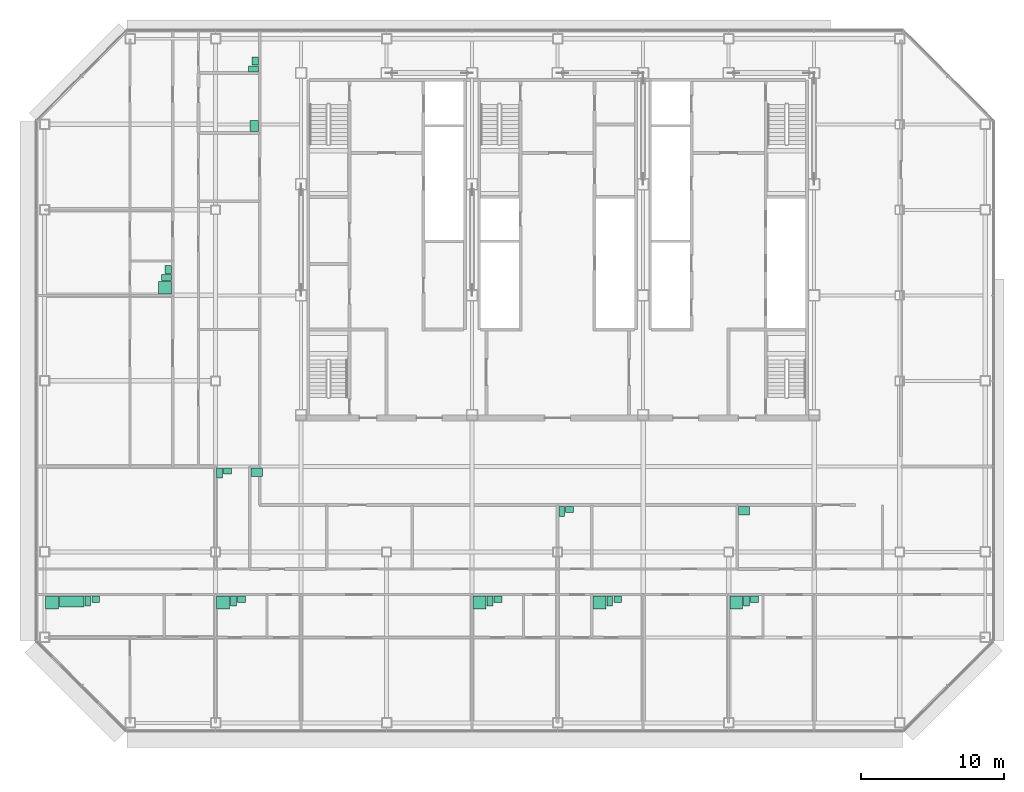
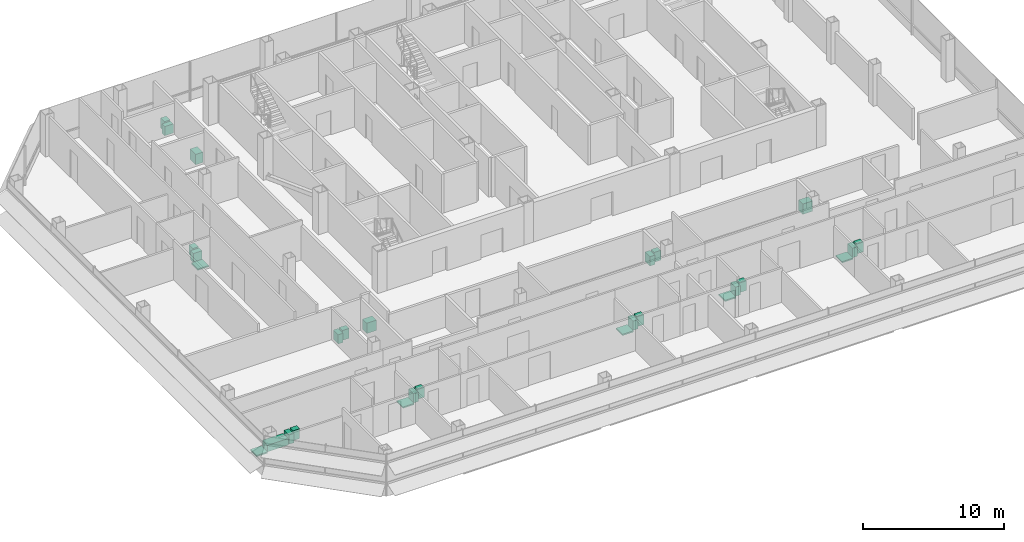
# One storey, part 27 of 27: 28 sanitary terminals.
"""IFC4 building model written with IfcOpenShell, lengths in metres."""

from ifc_helpers import new_model, si_unit, direction, frame, origin, origin_2d, place, context, subcontext, project, spatial, rectangle, extrude, element, save


model = new_model("IFC4")

# Units and contexts
model_context = context("Model", 3, precision=1e-05, world=origin(), true_north=direction((0.0, 1.0)))
body_context = subcontext(model_context, "Body", "Model", "MODEL_VIEW")
ifc_project = project(units=[si_unit("LENGTHUNIT", "METRE"), si_unit("AREAUNIT", "SQUARE_METRE"), si_unit("VOLUMEUNIT", "CUBIC_METRE"), si_unit("PLANEANGLEUNIT", "RADIAN"), si_unit("MASSUNIT", "GRAM", prefix="KILO")], contexts=[model_context])

# Site, building, storey
site_placement = place(None, origin())
site = spatial("IfcSite", under=ifc_project, at=site_placement, CompositionType="ELEMENT")
building_placement = place(site_placement, origin())
building = spatial("IfcBuilding", under=site, at=building_placement, Name="Sorahane Residences", CompositionType="ELEMENT")
storey_placement = place(building_placement, frame((0.0, 0.0, 195.60009765625)))
storey = spatial("IfcBuildingStorey", under=building, at=storey_placement, Name="L45", CompositionType="ELEMENT", Elevation=195.60009765625)

# Sanitary terminals
sanitary_terminal_1_placement = place(storey_placement, frame((-11.469970703125, 8.449951171875, -0.000244140625), z_axis=(0.0, 0.0, 1.0), x_axis=(1.0, 0.0, 0.0)))
element("IfcSanitaryTerminal", 1, at=sanitary_terminal_1_placement, inside=storey, Name="Shower tray En-suite bathroom 45A", PredefinedType="SHOWER", context=body_context, shape_type="SweptSolid", body=[
    extrude(rectangle(XDim=0.89990234375, YDim=0.89990234375, at=origin_2d()), origin(), (0.0, 0.0, 1.0), 0.1201171875),
])
sanitary_terminal_2_placement = place(storey_placement, frame((-10.090087890625, 8.52490234375, -0.000244140625), z_axis=(0.0, 0.0, 1.0), x_axis=(1.0, 0.0, 0.0)))
element("IfcSanitaryTerminal", 2, at=sanitary_terminal_2_placement, inside=storey, Name="Bath En-suite bathroom 45A", PredefinedType="BATH", context=body_context, shape_type="SweptSolid", body=[
    extrude(rectangle(XDim=1.699951171875, YDim=0.75, at=origin_2d()), origin(), (0.0, 0.0, 1.0), 0.56005859375),
])
sanitary_terminal_3_placement = place(storey_placement, frame((-8.9599609375, 8.550048828125, 0.0), z_axis=(0.0, 0.0, 1.0), x_axis=(1.0, 0.0, 0.0)))
element("IfcSanitaryTerminal", 3, at=sanitary_terminal_3_placement, inside=storey, Name="WC pan En-suite bathroom 45A", PredefinedType="TOILETPAN", context=body_context, shape_type="SweptSolid", body=[
    extrude(rectangle(XDim=0.39990234375, YDim=0.699951171875, at=origin_2d()), origin(), (0.0, 0.0, 1.0), 0.800048828125),
])
sanitary_terminal_4_placement = place(storey_placement, frame((-8.405029296875, 8.675048828125, -0.000244140625), z_axis=(0.0, 0.0, 1.0), x_axis=(1.0, 0.0, 0.0)))
element("IfcSanitaryTerminal", 4, at=sanitary_terminal_4_placement, inside=storey, Name="Wash basin En-suite bathroom 45A", PredefinedType="WASHHANDBASIN", context=body_context, shape_type="SweptSolid", body=[
    extrude(rectangle(XDim=0.550048828125, YDim=0.449951171875, at=origin_2d()), origin(), (0.0, 0.0, 1.0), 0.85009765625),
])
sanitary_terminal_5_placement = place(storey_placement, frame((0.530029296875, 8.449951171875, -0.000244140625), z_axis=(0.0, 0.0, 1.0), x_axis=(1.0, 0.0, 0.0)))
element("IfcSanitaryTerminal", 5, at=sanitary_terminal_5_placement, inside=storey, Name="Shower tray En-suite bathroom 45A-2", PredefinedType="SHOWER", context=body_context, shape_type="SweptSolid", body=[
    extrude(rectangle(XDim=0.89990234375, YDim=0.89990234375, at=origin_2d()), origin(), (0.0, 0.0, 1.0), 0.1201171875),
])
sanitary_terminal_6_placement = place(storey_placement, frame((1.260009765625, 8.550048828125, 0.0), z_axis=(0.0, 0.0, 1.0), x_axis=(1.0, 0.0, 0.0)))
element("IfcSanitaryTerminal", 6, at=sanitary_terminal_6_placement, inside=storey, Name="WC pan En-suite bathroom 45A-2", PredefinedType="TOILETPAN", context=body_context, shape_type="SweptSolid", body=[
    extrude(rectangle(XDim=0.39990234375, YDim=0.699951171875, at=origin_2d()), origin(), (0.0, 0.0, 1.0), 0.800048828125),
])
sanitary_terminal_7_placement = place(storey_placement, frame((1.81494140625, 8.675048828125, -0.000244140625), z_axis=(0.0, 0.0, 1.0), x_axis=(1.0, 0.0, 0.0)))
element("IfcSanitaryTerminal", 7, at=sanitary_terminal_7_placement, inside=storey, Name="Wash basin En-suite bathroom 45A-2", PredefinedType="WASHHANDBASIN", context=body_context, shape_type="SweptSolid", body=[
    extrude(rectangle(XDim=0.550048828125, YDim=0.449951171875, at=origin_2d()), origin(), (0.0, 0.0, 1.0), 0.85009765625),
])
sanitary_terminal_8_placement = place(storey_placement, frame((18.530029296875, 8.449951171875, -0.000244140625), z_axis=(0.0, 0.0, 1.0), x_axis=(1.0, 0.0, 0.0)))
element("IfcSanitaryTerminal", 8, at=sanitary_terminal_8_placement, inside=storey, Name="Shower tray En-suite bathroom 45A-3", PredefinedType="SHOWER", context=body_context, shape_type="SweptSolid", body=[
    extrude(rectangle(XDim=0.89990234375, YDim=0.89990234375, at=origin_2d()), origin(), (0.0, 0.0, 1.0), 0.1201171875),
])
sanitary_terminal_9_placement = place(storey_placement, frame((19.260009765625, 8.550048828125, 0.0), z_axis=(0.0, 0.0, 1.0), x_axis=(1.0, 0.0, 0.0)))
element("IfcSanitaryTerminal", 9, at=sanitary_terminal_9_placement, inside=storey, Name="WC pan En-suite bathroom 45A-3", PredefinedType="TOILETPAN", context=body_context, shape_type="SweptSolid", body=[
    extrude(rectangle(XDim=0.39990234375, YDim=0.699951171875, at=origin_2d()), origin(), (0.0, 0.0, 1.0), 0.800048828125),
])
sanitary_terminal_10_placement = place(storey_placement, frame((19.81494140625, 8.675048828125, -0.000244140625), z_axis=(0.0, 0.0, 1.0), x_axis=(1.0, 0.0, 0.0)))
element("IfcSanitaryTerminal", 10, at=sanitary_terminal_10_placement, inside=storey, Name="Wash basin En-suite bathroom 45A-3", PredefinedType="WASHHANDBASIN", context=body_context, shape_type="SweptSolid", body=[
    extrude(rectangle(XDim=0.550048828125, YDim=0.449951171875, at=origin_2d()), origin(), (0.0, 0.0, 1.0), 0.85009765625),
])
sanitary_terminal_11_placement = place(storey_placement, frame((0.280029296875, 17.550048828125, 0.0), z_axis=(0.0, 0.0, 1.0), x_axis=(1.0, 0.0, 0.0)))
element("IfcSanitaryTerminal", 11, at=sanitary_terminal_11_placement, inside=storey, Name="WC pan Guest WC 45A", PredefinedType="TOILETPAN", context=body_context, shape_type="SweptSolid", body=[
    extrude(rectangle(XDim=0.39990234375, YDim=0.699951171875, at=origin_2d()), origin(), (0.0, 0.0, 1.0), 0.800048828125),
])
sanitary_terminal_12_placement = place(storey_placement, frame((0.8349609375, 17.675048828125, -0.000244140625), z_axis=(0.0, 0.0, 1.0), x_axis=(1.0, 0.0, 0.0)))
element("IfcSanitaryTerminal", 12, at=sanitary_terminal_12_placement, inside=storey, Name="Wash basin Guest WC 45A", PredefinedType="WASHHANDBASIN", context=body_context, shape_type="SweptSolid", body=[
    extrude(rectangle(XDim=0.550048828125, YDim=0.449951171875, at=origin_2d()), origin(), (0.0, 0.0, 1.0), 0.85009765625),
])
sanitary_terminal_13_placement = place(storey_placement, frame((2.8798828125, 17.60009765625, 0.0), z_axis=(0.0, 0.0, 1.0), x_axis=(1.0, 0.0, 0.0)))
element("IfcSanitaryTerminal", 13, at=sanitary_terminal_13_placement, inside=storey, Name="Kitchen sink Kitchen 45A", PredefinedType="SINK", context=body_context, shape_type="SweptSolid", body=[
    extrude(rectangle(XDim=0.800048828125, YDim=0.60009765625, at=origin_2d()), origin(), (0.0, 0.0, 1.0), 0.89990234375),
])
sanitary_terminal_14_placement = place(storey_placement, frame((26.929931640625, 8.449951171875, -0.000244140625), z_axis=(0.0, 0.0, 1.0), x_axis=(1.0, 0.0, 0.0)))
element("IfcSanitaryTerminal", 14, at=sanitary_terminal_14_placement, inside=storey, Name="Shower tray En-suite bathroom 45B", PredefinedType="SHOWER", context=body_context, shape_type="SweptSolid", body=[
    extrude(rectangle(XDim=0.89990234375, YDim=0.89990234375, at=origin_2d()), origin(), (0.0, 0.0, 1.0), 0.1201171875),
])
sanitary_terminal_15_placement = place(storey_placement, frame((27.659912109375, 8.550048828125, 0.0), z_axis=(0.0, 0.0, 1.0), x_axis=(1.0, 0.0, 0.0)))
element("IfcSanitaryTerminal", 15, at=sanitary_terminal_15_placement, inside=storey, Name="WC pan En-suite bathroom 45B", PredefinedType="TOILETPAN", context=body_context, shape_type="SweptSolid", body=[
    extrude(rectangle(XDim=0.39990234375, YDim=0.699951171875, at=origin_2d()), origin(), (0.0, 0.0, 1.0), 0.800048828125),
])
sanitary_terminal_16_placement = place(storey_placement, frame((28.215087890625, 8.675048828125, -0.000244140625), z_axis=(0.0, 0.0, 1.0), x_axis=(1.0, 0.0, 0.0)))
element("IfcSanitaryTerminal", 16, at=sanitary_terminal_16_placement, inside=storey, Name="Wash basin En-suite bathroom 45B", PredefinedType="WASHHANDBASIN", context=body_context, shape_type="SweptSolid", body=[
    extrude(rectangle(XDim=0.550048828125, YDim=0.449951171875, at=origin_2d()), origin(), (0.0, 0.0, 1.0), 0.85009765625),
])
sanitary_terminal_17_placement = place(storey_placement, frame((36.530029296875, 8.449951171875, -0.000244140625), z_axis=(0.0, 0.0, 1.0), x_axis=(1.0, 0.0, 0.0)))
element("IfcSanitaryTerminal", 17, at=sanitary_terminal_17_placement, inside=storey, Name="Shower tray En-suite bathroom 45B-2", PredefinedType="SHOWER", context=body_context, shape_type="SweptSolid", body=[
    extrude(rectangle(XDim=0.89990234375, YDim=0.89990234375, at=origin_2d()), origin(), (0.0, 0.0, 1.0), 0.1201171875),
])
sanitary_terminal_18_placement = place(storey_placement, frame((37.260009765625, 8.550048828125, 0.0), z_axis=(0.0, 0.0, 1.0), x_axis=(1.0, 0.0, 0.0)))
element("IfcSanitaryTerminal", 18, at=sanitary_terminal_18_placement, inside=storey, Name="WC pan En-suite bathroom 45B-2", PredefinedType="TOILETPAN", context=body_context, shape_type="SweptSolid", body=[
    extrude(rectangle(XDim=0.39990234375, YDim=0.699951171875, at=origin_2d()), origin(), (0.0, 0.0, 1.0), 0.800048828125),
])
sanitary_terminal_19_placement = place(storey_placement, frame((37.81494140625, 8.675048828125, -0.000244140625), z_axis=(0.0, 0.0, 1.0), x_axis=(1.0, 0.0, 0.0)))
element("IfcSanitaryTerminal", 19, at=sanitary_terminal_19_placement, inside=storey, Name="Wash basin En-suite bathroom 45B-2", PredefinedType="WASHHANDBASIN", context=body_context, shape_type="SweptSolid", body=[
    extrude(rectangle(XDim=0.550048828125, YDim=0.449951171875, at=origin_2d()), origin(), (0.0, 0.0, 1.0), 0.85009765625),
])
sanitary_terminal_20_placement = place(storey_placement, frame((24.280029296875, 14.85009765625, 0.0), z_axis=(0.0, 0.0, 1.0), x_axis=(1.0, 0.0, 0.0)))
element("IfcSanitaryTerminal", 20, at=sanitary_terminal_20_placement, inside=storey, Name="WC pan Guest WC 45B", PredefinedType="TOILETPAN", context=body_context, shape_type="SweptSolid", body=[
    extrude(rectangle(XDim=0.39990234375, YDim=0.699951171875, at=origin_2d()), origin(), (0.0, 0.0, 1.0), 0.800048828125),
])
sanitary_terminal_21_placement = place(storey_placement, frame((24.8349609375, 14.97509765625, -0.000244140625), z_axis=(0.0, 0.0, 1.0), x_axis=(1.0, 0.0, 0.0)))
element("IfcSanitaryTerminal", 21, at=sanitary_terminal_21_placement, inside=storey, Name="Wash basin Guest WC 45B", PredefinedType="WASHHANDBASIN", context=body_context, shape_type="SweptSolid", body=[
    extrude(rectangle(XDim=0.550048828125, YDim=0.449951171875, at=origin_2d()), origin(), (0.0, 0.0, 1.0), 0.85009765625),
])
sanitary_terminal_22_placement = place(storey_placement, frame((37.080078125, 14.89990234375, 0.0), z_axis=(0.0, 0.0, 1.0), x_axis=(1.0, 0.0, 0.0)))
element("IfcSanitaryTerminal", 22, at=sanitary_terminal_22_placement, inside=storey, Name="Kitchen sink Kitchen 45B", PredefinedType="SINK", context=body_context, shape_type="SweptSolid", body=[
    extrude(rectangle(XDim=0.800048828125, YDim=0.60009765625, at=origin_2d()), origin(), (0.0, 0.0, 1.0), 0.89990234375),
])
sanitary_terminal_23_placement = place(storey_placement, frame((-3.550048828125, 30.530029296875, -0.000244140625), z_axis=(0.0, 0.0, 1.0), x_axis=(0.0, -1.0, 0.0)))
element("IfcSanitaryTerminal", 23, at=sanitary_terminal_23_placement, inside=storey, Name="Shower tray En-suite bathroom 45C", PredefinedType="SHOWER", context=body_context, shape_type="SweptSolid", body=[
    extrude(rectangle(XDim=0.89990234375, YDim=0.89990234375, at=origin_2d()), origin(), (0.0, 0.0, 1.0), 0.1201171875),
])
sanitary_terminal_24_placement = place(storey_placement, frame((-3.449951171875, 31.260009765625, 0.0), z_axis=(0.0, 0.0, 1.0), x_axis=(0.0, -1.0, 0.0)))
element("IfcSanitaryTerminal", 24, at=sanitary_terminal_24_placement, inside=storey, Name="WC pan En-suite bathroom 45C", PredefinedType="TOILETPAN", context=body_context, shape_type="SweptSolid", body=[
    extrude(rectangle(XDim=0.39990234375, YDim=0.699951171875, at=origin_2d()), origin(), (0.0, 0.0, 1.0), 0.800048828125),
])
sanitary_terminal_25_placement = place(storey_placement, frame((-3.324951171875, 31.81494140625, -0.000244140625), z_axis=(0.0, 0.0, 1.0), x_axis=(0.0, -1.0, 0.0)))
element("IfcSanitaryTerminal", 25, at=sanitary_terminal_25_placement, inside=storey, Name="Wash basin En-suite bathroom 45C", PredefinedType="WASHHANDBASIN", context=body_context, shape_type="SweptSolid", body=[
    extrude(rectangle(XDim=0.550048828125, YDim=0.449951171875, at=origin_2d()), origin(), (0.0, 0.0, 1.0), 0.85009765625),
])
sanitary_terminal_26_placement = place(storey_placement, frame((2.699951171875, 41.8798828125, 0.0), z_axis=(0.0, 0.0, 1.0), x_axis=(0.0, -1.0, 0.0)))
element("IfcSanitaryTerminal", 26, at=sanitary_terminal_26_placement, inside=storey, Name="Kitchen sink Kitchen 45C", PredefinedType="SINK", context=body_context, shape_type="SweptSolid", body=[
    extrude(rectangle(XDim=0.800048828125, YDim=0.60009765625, at=origin_2d()), origin(), (0.0, 0.0, 1.0), 0.89990234375),
])
sanitary_terminal_27_placement = place(storey_placement, frame((2.64990234375, 45.8798828125, 0.0), z_axis=(0.0, 0.0, 1.0), x_axis=(0.0, -1.0, 0.0)))
element("IfcSanitaryTerminal", 27, at=sanitary_terminal_27_placement, inside=storey, Name="WC pan Powder room 45C", PredefinedType="TOILETPAN", context=body_context, shape_type="SweptSolid", body=[
    extrude(rectangle(XDim=0.39990234375, YDim=0.699951171875, at=origin_2d()), origin(), (0.0, 0.0, 1.0), 0.800048828125),
])
sanitary_terminal_28_placement = place(storey_placement, frame((2.77490234375, 46.43505859375, -0.000244140625), z_axis=(0.0, 0.0, 1.0), x_axis=(0.0, -1.0, 0.0)))
element("IfcSanitaryTerminal", 28, at=sanitary_terminal_28_placement, inside=storey, Name="Wash basin Powder room 45C", PredefinedType="WASHHANDBASIN", context=body_context, shape_type="SweptSolid", body=[
    extrude(rectangle(XDim=0.550048828125, YDim=0.449951171875, at=origin_2d()), origin(), (0.0, 0.0, 1.0), 0.85009765625),
])

save(model, "model.ifc")
